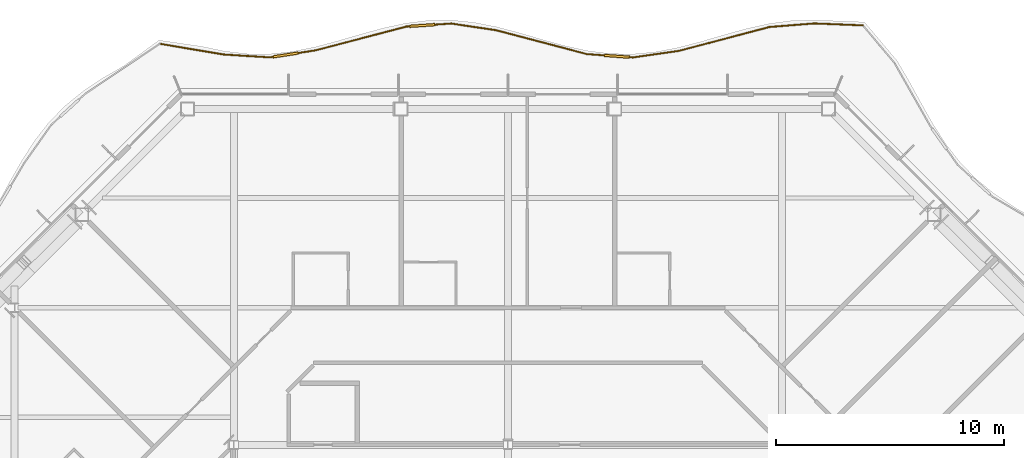
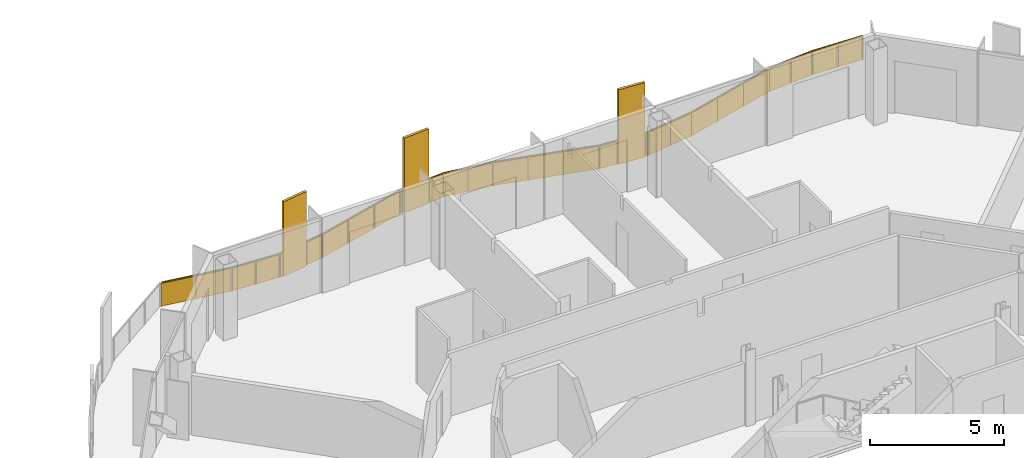
# One storey, part 20 of 21: 1 railing.
"""IFC4 building model written with IfcOpenShell, lengths in metres."""

import ifcopenshell
import ifcopenshell.guid

model = None  # the IFC model being written
_history = None  # IfcOwnerHistory: only IFC2X3 demands one
_inside = {}  # id of a spatial element -> (the spatial element, [elements in it])
_under = {}  # id of a project, library or spatial element -> (it, [spatial elements below it])
_declared = {}  # id of a project -> (the project, [libraries it declares])
_typed = {}  # id of a type object -> (the type object, [elements of that type])
_made_of = {}  # id of a material, layer set ... -> (it, [elements and type objects made of it])


def new_model(schema):
    """Start an empty IFC model of exactly this schema.

    Asked for "IFC4X3", IfcOpenShell would pick the latest addendum, in which some entities
    have other attributes; the version numbers below select the first issue.
    IFC2X3 requires an IfcOwnerHistory on every rooted entity: one is made here for all.
    """
    global model, _history
    if schema == "IFC4X3":
        model = ifcopenshell.file(schema_version=(4, 3, 0, 0))
    else:
        model = ifcopenshell.file(schema=schema)
    _inside.clear()
    _under.clear()
    _declared.clear()
    _typed.clear()
    _made_of.clear()
    _history = None
    if model.schema == "IFC2X3":
        org = make("IfcOrganization", Name="unknown")
        user = make(
            "IfcPersonAndOrganization",
            ThePerson=make("IfcPerson", FamilyName="unknown"),
            TheOrganization=org,
        )
        app = make(
            "IfcApplication",
            ApplicationDeveloper=org,
            Version="unknown",
            ApplicationFullName="unknown",
            ApplicationIdentifier="unknown",
        )
        _history = make(
            "IfcOwnerHistory",
            OwningUser=user,
            OwningApplication=app,
            ChangeAction="ADDED",
            CreationDate=0,
        )
    return model


def make(cls, **values):
    """One entity of the class cls with the attributes given. An attribute that is None is left unset."""
    return model.create_entity(
        cls, **{name: value for name, value in values.items() if value is not None}
    )


def rooted(cls, **values):
    """An entity with a GlobalId (a new one), such as an element, a storey or a relation."""
    return make(cls, GlobalId=ifcopenshell.guid.new(), OwnerHistory=_history, **values)


def si_unit(unit_type, name, prefix=None):
    """IfcSIUnit, for example si_unit("LENGTHUNIT", "METRE", prefix="MILLI")."""
    return make("IfcSIUnit", UnitType=unit_type, Prefix=prefix, Name=name)


def assignment(units):
    """IfcUnitAssignment: the units of a project."""
    return None if units is None else make("IfcUnitAssignment", Units=units)


def point(xyz):
    """IfcCartesianPoint."""
    return None if xyz is None else make("IfcCartesianPoint", Coordinates=xyz)


def direction(xyz):
    """IfcDirection."""
    return None if xyz is None else make("IfcDirection", DirectionRatios=xyz)


def frame(location, z_axis=None, x_axis=None):
    """IfcAxis2Placement3D, a coordinate frame: its origin and axes. An axis left out is left unset."""
    return make(
        "IfcAxis2Placement3D",
        Location=point(location),
        Axis=direction(z_axis),
        RefDirection=direction(x_axis),
    )


def frame_2d(location, x_axis=None):
    """IfcAxis2Placement2D, a coordinate frame in the plane: its origin and x axis."""
    return make(
        "IfcAxis2Placement2D", Location=point(location), RefDirection=direction(x_axis)
    )


def origin():
    """The frame at (0, 0, 0) with its axes left unset."""
    return frame((0.0, 0.0, 0.0))


def origin_2d():
    """The frame at (0, 0) in the plane with its x axis left unset."""
    return frame_2d((0.0, 0.0))


def place(relative_to, where):
    """IfcLocalPlacement: puts the frame where relative to a parent placement (None: the world)."""
    return make(
        "IfcLocalPlacement", PlacementRelTo=relative_to, RelativePlacement=where
    )


def context(
    kind, dimensions, precision=None, world=None, true_north=None, identifier=None
):
    """IfcGeometricRepresentationContext, for example the 3D "Model" context."""
    return make(
        "IfcGeometricRepresentationContext",
        ContextIdentifier=identifier,
        ContextType=kind,
        CoordinateSpaceDimension=dimensions,
        Precision=precision,
        WorldCoordinateSystem=world,
        TrueNorth=true_north,
    )


def subcontext(parent, identifier, kind, view, scale=None):
    """IfcGeometricRepresentationSubContext, for example "Body" below "Model"."""
    return make(
        "IfcGeometricRepresentationSubContext",
        ContextIdentifier=identifier,
        ContextType=kind,
        ParentContext=parent,
        TargetScale=scale,
        TargetView=view,
    )


def project(units=None, contexts=None):
    """IfcProject with its units and contexts."""
    return rooted(
        "IfcProject",
        Name="project",
        RepresentationContexts=contexts,
        UnitsInContext=assignment(units),
    )


def spatial(cls, under=None, at=None, **own):
    """A site, building, storey or space (cls), placed at a placement, below another one or the project."""
    s = rooted(cls, ObjectPlacement=at, **own)
    if under is not None:
        _under.setdefault(under.id(), (under, []))[1].append(s)
    return s


def polyline(points):
    """IfcPolyline through the points."""
    return make("IfcPolyline", Points=[point(p) for p in points])


def profile(cls, at=None, kind="AREA", **sizes):
    """A parametric profile (cls). Its sizes go by their IFC names, for example OverallWidth=200.0."""
    return make(cls, ProfileType=kind, Position=at, **sizes)


def rectangle(**sizes):
    """IfcRectangleProfileDef."""
    return profile("IfcRectangleProfileDef", **sizes)


def outline(outer, holes=None, kind="AREA"):
    """IfcArbitraryClosedProfileDef: a profile drawn as a closed curve; with holes, ...WithVoids."""
    if holes is None:
        return make("IfcArbitraryClosedProfileDef", ProfileType=kind, OuterCurve=outer)
    return make(
        "IfcArbitraryProfileDefWithVoids",
        ProfileType=kind,
        OuterCurve=outer,
        InnerCurves=holes,
    )


def extrude(swept, where, along, depth):
    """IfcExtrudedAreaSolid: the profile swept, set in the frame where, extruded along a direction by depth."""
    return make(
        "IfcExtrudedAreaSolid",
        SweptArea=swept,
        Position=where,
        ExtrudedDirection=direction(along),
        Depth=depth,
    )


def shape(context_of_items, identifier, shape_type, items):
    """IfcShapeRepresentation: the items that make up one representation, for example the "Body"."""
    return make(
        "IfcShapeRepresentation",
        ContextOfItems=context_of_items,
        RepresentationIdentifier=identifier,
        RepresentationType=shape_type,
        Items=items,
    )


def material(Name=None, Category=None):
    """IfcMaterial."""
    return make("IfcMaterial", Name=Name, Category=Category)


def made_of(thing, what):
    """Note that an element or type object is made of a material, layer set ...; save() writes the relation."""
    if what is not None:
        _made_of.setdefault(what.id(), (what, []))[1].append(thing)
    return thing


def type_object(cls, material=None, **own):
    """A type object (cls), such as IfcWallType, which elements share."""
    return made_of(rooted(cls, **own), material)


def element(
    cls,
    number,
    at=None,
    inside=None,
    cuts=None,
    type_object=None,
    material=None,
    context=None,
    identifier="Body",
    shape_type=None,
    held_by="IfcProductDefinitionShape",
    body=None,
    shapes=None,
    **own,
):
    """One element of the class cls, such as IfcWall. Its Tag is "e" and its number.

    at: its placement. inside: the storey or other place that contains it. cuts: it is an
    opening in that element (IfcRelVoidsElement). A single representation is given by context,
    identifier, shape_type and body (its items); several are given by shapes. held_by: the class
    of the entity that holds the representations. save() writes the other relations.
    """
    e = rooted(cls, Tag="e%d" % number, ObjectPlacement=at, **own)
    if body is not None:
        shapes = [shape(context, identifier, shape_type, body)]
    if shapes is not None:
        e.Representation = make(held_by, Representations=shapes)
    if inside is not None:
        _inside.setdefault(inside.id(), (inside, []))[1].append(e)
    if cuts is not None:
        rooted(
            "IfcRelVoidsElement", RelatingBuildingElement=cuts, RelatedOpeningElement=e
        )
    if type_object is not None:
        _typed.setdefault(type_object.id(), (type_object, []))[1].append(e)
    return made_of(e, material)


def aggregate(whole, parts):
    """IfcRelAggregates: a whole, such as a stair, and the parts it consists of."""
    return rooted("IfcRelAggregates", RelatingObject=whole, RelatedObjects=parts)


def save(model, path):
    """Write the relations noted so far, then the file.

    IfcRelAggregates (storeys below a building ...), IfcRelContainedInSpatialStructure (elements
    in a storey), IfcRelDefinesByType, IfcRelAssociatesMaterial and IfcRelDeclares: one each for
    every whole, place, type object, material and project.
    """
    for whole, parts in _under.values():
        aggregate(whole, parts)
    for where, things in _inside.values():
        rooted(
            "IfcRelContainedInSpatialStructure",
            RelatedElements=things,
            RelatingStructure=where,
        )
    for kind, things in _typed.values():
        rooted("IfcRelDefinesByType", RelatedObjects=things, RelatingType=kind)
    for what, things in _made_of.values():
        rooted("IfcRelAssociatesMaterial", RelatedObjects=things, RelatingMaterial=what)
    for by, libraries in _declared.values():
        rooted("IfcRelDeclares", RelatingContext=by, RelatedDefinitions=libraries)
    model.write(path)


model = new_model("IFC4")

# Units and contexts
model_context = context("Model", 3, precision=1e-05, world=origin(), true_north=direction((0.0, 1.0)))
body_context = subcontext(model_context, "Body", "Model", "MODEL_VIEW")
ifc_project = project(units=[si_unit("LENGTHUNIT", "METRE"), si_unit("AREAUNIT", "SQUARE_METRE"), si_unit("VOLUMEUNIT", "CUBIC_METRE"), si_unit("PLANEANGLEUNIT", "RADIAN"), si_unit("MASSUNIT", "GRAM", prefix="KILO")], contexts=[model_context])

# Site, building, storey
site_placement = place(None, origin())
site = spatial("IfcSite", under=ifc_project, at=site_placement, CompositionType="ELEMENT")
building_placement = place(site_placement, origin())
building = spatial("IfcBuilding", under=site, at=building_placement, Name="Cairn Pilgrim Tower", CompositionType="ELEMENT")
storey_placement = place(building_placement, frame((0.0, 0.0, 150.60009765625)))
storey = spatial("IfcBuildingStorey", under=building, at=storey_placement, Name="L37", CompositionType="ELEMENT", Elevation=150.60009765625)

# Railing
ifc_material = material(Name="Bronze anodised aluminium rail, posts and fin screens with laminated glass infill", Category="aluminium")
railing_type = type_object("IfcRailingType", Name="BALCONY GUARD WITH FIN SCREENS", PredefinedType="GUARDRAIL", material=ifc_material)
railing_placement = place(storey_placement, frame((22.732666015625, 31.561279296875, 0.0)))
element("IfcRailing", 1, at=railing_placement, inside=storey, type_object=railing_type, Name="Balcony guard BGF-5 with fin screens", PredefinedType="GUARDRAIL", context=body_context, shape_type="SweptSolid", body=[
    extrude(rectangle(XDim=0.050048828125, YDim=0.050048828125, at=origin_2d()), frame((0.0, 0.0, 1.0751953125), z_axis=(-0.999218303343, 0.039532040983, 0.0), x_axis=(-0.039532040983, -0.999218303343, 0.0)), (0.0, 0.0, 1.0), 2.12451171875),
    extrude(rectangle(XDim=0.050048828125, YDim=0.050048828125, at=origin_2d()), frame((-2.122802734375, 0.083984375, 1.0751953125), z_axis=(-0.996849859559, -0.079311774008, 0.0), x_axis=(0.079311774008, -0.996849859559, 0.0)), (0.0, 0.0, 1.0), 1.969970703125),
    extrude(rectangle(XDim=0.050048828125, YDim=0.050048828125, at=origin_2d()), frame((-4.086669921875, -0.072265625, 1.0751953125), z_axis=(-0.966954973111, -0.254947210176, 0.0), x_axis=(0.254947210176, -0.966954973111, 0.0)), (0.0, 0.0, 1.0), 4.103271484375),
    extrude(rectangle(XDim=0.050048828125, YDim=0.050048828125, at=origin_2d()), frame((-8.054443359375, -1.118408203125, 1.0751953125), z_axis=(-0.989944685782, -0.141455007304, 0.0), x_axis=(0.141455007304, -0.989944685782, 0.0)), (0.0, 0.0, 1.0), 2.031494140625),
    extrude(rectangle(XDim=1.10009765625, YDim=0.110107421875, at=origin_2d()), frame((-10.763427734375, -1.354248046875, 0.0), z_axis=(0.0, 0.0, 1.0), x_axis=(-0.997300606896, 0.07342683083, 0.0)), (0.0, 0.0, 1.0), 3.39990234375),
    extrude(rectangle(XDim=0.050048828125, YDim=0.050048828125, at=origin_2d()), frame((-10.0654296875, -1.40576171875, 1.0751953125), z_axis=(-0.997300606896, 0.07342683083, 0.0), x_axis=(-0.07342683083, -0.997300606896, 0.0)), (0.0, 0.0, 1.0), 0.14990234375),
    extrude(rectangle(XDim=0.050048828125, YDim=0.050048828125, at=origin_2d()), frame((-11.31201171875, -1.31396484375, 1.0751953125), z_axis=(-0.997300606896, 0.07342683083, 0.0), x_axis=(-0.07342683083, -0.997300606896, 0.0)), (0.0, 0.0, 1.0), 0.771484375),
    extrude(rectangle(XDim=0.050048828125, YDim=0.050048828125, at=origin_2d()), frame((-12.08154296875, -1.25732421875, 1.0751953125), z_axis=(-0.967127569805, 0.254291690238, 0.0), x_axis=(-0.254291690238, -0.967127569805, 0.0)), (0.0, 0.0, 1.0), 4.113037109375),
    extrude(rectangle(XDim=0.050048828125, YDim=0.050048828125, at=origin_2d()), frame((-16.059326171875, -0.21142578125, 1.0751953125), z_axis=(-0.989197514028, 0.14658880667, 0.0), x_axis=(-0.14658880667, -0.989197514028, 0.0)), (0.0, 0.0, 1.0), 1.983642578125),
    extrude(rectangle(XDim=1.10009765625, YDim=0.110107421875, at=origin_2d()), frame((-19.27880859375, -0.005615234375, 0.0), z_axis=(0.0, 0.0, 1.0), x_axis=(-0.997719094687, -0.067502652518, 0.0)), (0.0, 0.0, 1.0), 3.39990234375),
    extrude(rectangle(XDim=0.050048828125, YDim=0.050048828125, at=origin_2d()), frame((-18.021484375, 0.079345703125, 1.0751953125), z_axis=(-0.997719094687, -0.067502652518, 0.0), x_axis=(0.067502652518, -0.997719094687, 0.0)), (0.0, 0.0, 1.0), 0.710205078125),
    extrude(rectangle(XDim=0.050048828125, YDim=0.050048828125, at=origin_2d()), frame((-19.82763671875, -0.04296875, 1.0751953125), z_axis=(-0.997719094687, -0.067502652518, 0.0), x_axis=(0.067502652518, -0.997719094687, 0.0)), (0.0, 0.0, 1.0), 0.150146484375),
    extrude(rectangle(XDim=0.050048828125, YDim=0.050048828125, at=origin_2d()), frame((-19.977294921875, -0.052978515625, 1.0751953125), z_axis=(-0.967341639155, -0.253476139227, 0.0), x_axis=(0.253476139227, -0.967341639155, 0.0)), (0.0, 0.0, 1.0), 4.10009765625),
    extrude(rectangle(XDim=1.10009765625, YDim=0.110107421875, at=origin_2d()), frame((-25.261474609375, -1.29443359375, 0.0), z_axis=(0.0, 0.0, 1.0), x_axis=(-0.988434079542, -0.151651147043, 0.0)), (0.0, 0.0, 1.0), 3.39990234375),
    extrude(rectangle(XDim=0.050048828125, YDim=0.050048828125, at=origin_2d()), frame((-23.943603515625, -1.09228515625, 1.0751953125), z_axis=(-0.988434079542, -0.151651147043, 0.0), x_axis=(0.151651147043, -0.988434079542, 0.0)), (0.0, 0.0, 1.0), 0.783203125),
    extrude(rectangle(XDim=0.050048828125, YDim=0.050048828125, at=origin_2d()), frame((-25.80517578125, -1.3779296875, 1.0751953125), z_axis=(-0.988434079542, -0.151651147043, 0.0), x_axis=(0.151651147043, -0.988434079542, 0.0)), (0.0, 0.0, 1.0), 0.150146484375),
    extrude(rectangle(XDim=0.050048828125, YDim=0.050048828125, at=origin_2d()), frame((-25.953369140625, -1.400634765625, 1.0751953125), z_axis=(-0.998109239106, 0.061465004765, 0.0), x_axis=(-0.061465004765, -0.998109239106, 0.0)), (0.0, 0.0, 1.0), 2.013916015625),
    extrude(rectangle(XDim=0.050048828125, YDim=0.050048828125, at=origin_2d()), frame((-27.96337890625, -1.27685546875, 1.0751953125), z_axis=(-0.986308625371, 0.164909961856, 0.0), x_axis=(-0.164909961856, -0.986308625371, 0.0)), (0.0, 0.0, 1.0), 2.7890625),
    extrude(rectangle(XDim=0.050048828125, YDim=0.050048828125, at=origin_2d()), origin(), (0.0, 0.0, 1.0), 1.050048828125),
    extrude(rectangle(XDim=0.050048828125, YDim=0.050048828125, at=origin_2d()), frame((-1.0615234375, 0.0419921875, 0.0)), (0.0, 0.0, 1.0), 1.050048828125),
    extrude(rectangle(XDim=0.050048828125, YDim=0.050048828125, at=origin_2d()), frame((-2.122802734375, 0.083984375, 0.0)), (0.0, 0.0, 1.0), 1.050048828125),
    extrude(rectangle(XDim=0.050048828125, YDim=0.050048828125, at=origin_2d()), frame((-3.104736328125, 0.005859375, 0.0)), (0.0, 0.0, 1.0), 1.050048828125),
    extrude(rectangle(XDim=0.050048828125, YDim=0.050048828125, at=origin_2d()), frame((-4.086669921875, -0.072265625, 0.0)), (0.0, 0.0, 1.0), 1.050048828125),
    extrude(rectangle(XDim=0.050048828125, YDim=0.050048828125, at=origin_2d()), frame((-5.4091796875, -0.4208984375, 0.0)), (0.0, 0.0, 1.0), 1.050048828125),
    extrude(rectangle(XDim=0.050048828125, YDim=0.050048828125, at=origin_2d()), frame((-6.73193359375, -0.769775390625, 0.0)), (0.0, 0.0, 1.0), 1.050048828125),
    extrude(rectangle(XDim=0.050048828125, YDim=0.050048828125, at=origin_2d()), frame((-8.054443359375, -1.118408203125, 0.0)), (0.0, 0.0, 1.0), 1.050048828125),
    extrude(rectangle(XDim=0.050048828125, YDim=0.050048828125, at=origin_2d()), frame((-9.06005859375, -1.26220703125, 0.0)), (0.0, 0.0, 1.0), 1.050048828125),
    extrude(rectangle(XDim=0.050048828125, YDim=0.050048828125, at=origin_2d()), frame((-10.0654296875, -1.40576171875, 0.0)), (0.0, 0.0, 1.0), 1.050048828125),
    extrude(rectangle(XDim=0.050048828125, YDim=0.050048828125, at=origin_2d()), frame((-10.18994140625, -1.396484375, 0.0)), (0.0, 0.0, 1.0), 1.050048828125),
    extrude(rectangle(XDim=0.050048828125, YDim=0.050048828125, at=origin_2d()), frame((-11.3369140625, -1.312255859375, 0.0)), (0.0, 0.0, 1.0), 1.050048828125),
    extrude(rectangle(XDim=0.050048828125, YDim=0.050048828125, at=origin_2d()), frame((-12.08154296875, -1.25732421875, 0.0)), (0.0, 0.0, 1.0), 1.050048828125),
    extrude(rectangle(XDim=0.050048828125, YDim=0.050048828125, at=origin_2d()), frame((-13.407470703125, -0.90869140625, 0.0)), (0.0, 0.0, 1.0), 1.050048828125),
    extrude(rectangle(XDim=0.050048828125, YDim=0.050048828125, at=origin_2d()), frame((-14.7333984375, -0.56005859375, 0.0)), (0.0, 0.0, 1.0), 1.050048828125),
    extrude(rectangle(XDim=0.050048828125, YDim=0.050048828125, at=origin_2d()), frame((-16.059326171875, -0.21142578125, 0.0)), (0.0, 0.0, 1.0), 1.050048828125),
    extrude(rectangle(XDim=0.050048828125, YDim=0.050048828125, at=origin_2d()), frame((-17.04052734375, -0.06591796875, 0.0)), (0.0, 0.0, 1.0), 1.050048828125),
    extrude(rectangle(XDim=0.050048828125, YDim=0.050048828125, at=origin_2d()), frame((-18.021484375, 0.079345703125, 0.0)), (0.0, 0.0, 1.0), 1.050048828125),
    extrude(rectangle(XDim=0.050048828125, YDim=0.050048828125, at=origin_2d()), frame((-18.705078125, 0.033203125, 0.0)), (0.0, 0.0, 1.0), 1.050048828125),
    extrude(rectangle(XDim=0.050048828125, YDim=0.050048828125, at=origin_2d()), frame((-19.8525390625, -0.04443359375, 0.0)), (0.0, 0.0, 1.0), 1.050048828125),
    extrude(rectangle(XDim=0.050048828125, YDim=0.050048828125, at=origin_2d()), frame((-19.977294921875, -0.052978515625, 0.0)), (0.0, 0.0, 1.0), 1.050048828125),
    extrude(rectangle(XDim=0.050048828125, YDim=0.050048828125, at=origin_2d()), frame((-21.29931640625, -0.3994140625, 0.0)), (0.0, 0.0, 1.0), 1.050048828125),
    extrude(rectangle(XDim=0.050048828125, YDim=0.050048828125, at=origin_2d()), frame((-22.62158203125, -0.745849609375, 0.0)), (0.0, 0.0, 1.0), 1.050048828125),
    extrude(rectangle(XDim=0.050048828125, YDim=0.050048828125, at=origin_2d()), frame((-23.943603515625, -1.09228515625, 0.0)), (0.0, 0.0, 1.0), 1.050048828125),
    extrude(rectangle(XDim=0.050048828125, YDim=0.050048828125, at=origin_2d()), frame((-24.693115234375, -1.207275390625, 0.0)), (0.0, 0.0, 1.0), 1.050048828125),
    extrude(rectangle(XDim=0.050048828125, YDim=0.050048828125, at=origin_2d()), frame((-25.829833984375, -1.381591796875, 0.0)), (0.0, 0.0, 1.0), 1.050048828125),
    extrude(rectangle(XDim=0.050048828125, YDim=0.050048828125, at=origin_2d()), frame((-25.953369140625, -1.400634765625, 0.0)), (0.0, 0.0, 1.0), 1.050048828125),
    extrude(rectangle(XDim=0.050048828125, YDim=0.050048828125, at=origin_2d()), frame((-26.95849609375, -1.3388671875, 0.0)), (0.0, 0.0, 1.0), 1.050048828125),
    extrude(rectangle(XDim=0.050048828125, YDim=0.050048828125, at=origin_2d()), frame((-27.96337890625, -1.27685546875, 0.0)), (0.0, 0.0, 1.0), 1.050048828125),
    extrude(rectangle(XDim=0.050048828125, YDim=0.050048828125, at=origin_2d()), frame((-29.3388671875, -1.046875, 0.0)), (0.0, 0.0, 1.0), 1.050048828125),
    extrude(rectangle(XDim=0.050048828125, YDim=0.050048828125, at=origin_2d()), frame((-30.71435546875, -0.81689453125, 0.0)), (0.0, 0.0, 1.0), 1.050048828125),
    extrude(outline(polyline([(0.02490234375, 0.0), (1.037109375, 0.0), (1.037109375, 1.050048828125), (0.02490234375, 1.050048828125), (0.02490234375, 0.0)])), frame((-0.000244140625, -0.005859375, 0.0), z_axis=(0.039532040983, 0.999218303343, 0.0), x_axis=(-0.999218303343, 0.039532040983, 0.0)), (0.0, 0.0, 1.0), 0.011962890625),
    extrude(outline(polyline([(0.02490234375, 0.0), (1.037109375, 0.0), (1.037109375, 1.050048828125), (0.02490234375, 1.050048828125), (0.02490234375, 0.0)])), frame((-1.0615234375, 0.0361328125, 0.0), z_axis=(0.039532040983, 0.999218303343, 0.0), x_axis=(-0.999218303343, 0.039532040983, 0.0)), (0.0, 0.0, 1.0), 0.011962890625),
    extrude(outline(polyline([(0.02490234375, 0.0), (0.9599609375, 0.0), (0.9599609375, 1.050048828125), (0.02490234375, 1.050048828125), (0.02490234375, 0.0)])), frame((-2.122314453125, 0.078125, 0.0), z_axis=(-0.079311774008, 0.996849859559, 0.0), x_axis=(-0.996849859559, -0.079311774008, 0.0)), (0.0, 0.0, 1.0), 0.011962890625),
    extrude(outline(polyline([(0.02490234375, 0.0), (0.9599609375, 0.0), (0.9599609375, 1.050048828125), (0.02490234375, 1.050048828125), (0.02490234375, 0.0)])), frame((-3.104248046875, 0.0, 0.0), z_axis=(-0.079311774008, 0.996849859559, 0.0), x_axis=(-0.996849859559, -0.079311774008, 0.0)), (0.0, 0.0, 1.0), 0.011962890625),
    extrude(outline(polyline([(0.02490234375, 0.0), (1.3427734375, 0.0), (1.3427734375, 1.050048828125), (0.02490234375, 1.050048828125), (0.02490234375, 0.0)])), frame((-4.085205078125, -0.078125, 0.0), z_axis=(-0.254947210176, 0.966954973111, 0.0), x_axis=(-0.966954973111, -0.254947210176, 0.0)), (0.0, 0.0, 1.0), 0.011962890625),
    extrude(outline(polyline([(0.02490234375, 0.0), (1.3427734375, 0.0), (1.3427734375, 1.050048828125), (0.02490234375, 1.050048828125), (0.02490234375, 0.0)])), frame((-5.40771484375, -0.4267578125, 0.0), z_axis=(-0.254947210176, 0.966954973111, 0.0), x_axis=(-0.966954973111, -0.254947210176, 0.0)), (0.0, 0.0, 1.0), 0.011962890625),
    extrude(outline(polyline([(0.02490234375, 0.0), (1.3427734375, 0.0), (1.3427734375, 1.050048828125), (0.02490234375, 1.050048828125), (0.02490234375, 0.0)])), frame((-6.730224609375, -0.775390625, 0.0), z_axis=(-0.254947210176, 0.966954973111, 0.0), x_axis=(-0.966954973111, -0.254947210176, 0.0)), (0.0, 0.0, 1.0), 0.011962890625),
    extrude(outline(polyline([(0.02490234375, 0.0), (0.99072265625, 0.0), (0.99072265625, 1.050048828125), (0.02490234375, 1.050048828125), (0.02490234375, 0.0)])), frame((-8.0537109375, -1.124267578125, 0.0), z_axis=(-0.141455007304, 0.989944685782, 0.0), x_axis=(-0.989944685782, -0.141455007304, 0.0)), (0.0, 0.0, 1.0), 0.011962890625),
    extrude(outline(polyline([(0.02490234375, 0.0), (0.99072265625, 0.0), (0.99072265625, 1.050048828125), (0.02490234375, 1.050048828125), (0.02490234375, 0.0)])), frame((-9.05908203125, -1.26806640625, 0.0), z_axis=(-0.141455007304, 0.989944685782, 0.0), x_axis=(-0.989944685782, -0.141455007304, 0.0)), (0.0, 0.0, 1.0), 0.011962890625),
    extrude(outline(polyline([(0.02490234375, 0.0), (0.099853515625, 0.0), (0.099853515625, 1.050048828125), (0.02490234375, 1.050048828125), (0.02490234375, 0.0)])), frame((-10.06591796875, -1.41162109375, 0.0), z_axis=(0.07342683083, 0.997300606896, 0.0), x_axis=(-0.997300606896, 0.07342683083, 0.0)), (0.0, 0.0, 1.0), 0.011962890625),
    extrude(outline(polyline([(0.02490234375, 0.0), (0.721435546875, 0.0), (0.721435546875, 1.050048828125), (0.02490234375, 1.050048828125), (0.02490234375, 0.0)])), frame((-11.33740234375, -1.318115234375, 0.0), z_axis=(0.07342683083, 0.997300606896, 0.0), x_axis=(-0.997300606896, 0.07342683083, 0.0)), (0.0, 0.0, 1.0), 0.011962890625),
    extrude(outline(polyline([(0.02490234375, 0.0), (1.345947265625, 0.0), (1.345947265625, 1.050048828125), (0.02490234375, 1.050048828125), (0.02490234375, 0.0)])), frame((-12.0830078125, -1.26318359375, 0.0), z_axis=(0.254291690238, 0.967127569805, 0.0), x_axis=(-0.967127569805, 0.254291690238, 0.0)), (0.0, 0.0, 1.0), 0.011962890625),
    extrude(outline(polyline([(0.02490234375, 0.0), (1.345947265625, 0.0), (1.345947265625, 1.050048828125), (0.02490234375, 1.050048828125), (0.02490234375, 0.0)])), frame((-13.408935546875, -0.91455078125, 0.0), z_axis=(0.254291690238, 0.967127569805, 0.0), x_axis=(-0.967127569805, 0.254291690238, 0.0)), (0.0, 0.0, 1.0), 0.011962890625),
    extrude(outline(polyline([(0.02490234375, 0.0), (1.345947265625, 0.0), (1.345947265625, 1.050048828125), (0.02490234375, 1.050048828125), (0.02490234375, 0.0)])), frame((-14.73486328125, -0.56591796875, 0.0), z_axis=(0.254291690238, 0.967127569805, 0.0), x_axis=(-0.967127569805, 0.254291690238, 0.0)), (0.0, 0.0, 1.0), 0.011962890625),
    extrude(outline(polyline([(0.02490234375, 0.0), (0.966796875, 0.0), (0.966796875, 1.050048828125), (0.02490234375, 1.050048828125), (0.02490234375, 0.0)])), frame((-16.060302734375, -0.21728515625, 0.0), z_axis=(0.14658880667, 0.989197514028, 0.0), x_axis=(-0.989197514028, 0.14658880667, 0.0)), (0.0, 0.0, 1.0), 0.011962890625),
    extrude(outline(polyline([(0.02490234375, 0.0), (0.966796875, 0.0), (0.966796875, 1.050048828125), (0.02490234375, 1.050048828125), (0.02490234375, 0.0)])), frame((-17.041259765625, -0.072021484375, 0.0), z_axis=(0.14658880667, 0.989197514028, 0.0), x_axis=(-0.989197514028, 0.14658880667, 0.0)), (0.0, 0.0, 1.0), 0.011962890625),
    extrude(outline(polyline([(0.02490234375, 0.0), (0.66015625, 0.0), (0.66015625, 1.050048828125), (0.02490234375, 1.050048828125), (0.02490234375, 0.0)])), frame((-18.02099609375, 0.073486328125, 0.0), z_axis=(-0.067502652518, 0.997719094687, 0.0), x_axis=(-0.997719094687, -0.067502652518, 0.0)), (0.0, 0.0, 1.0), 0.011962890625),
    extrude(outline(polyline([(0.02490234375, 0.0), (0.10009765625, 0.0), (0.10009765625, 1.050048828125), (0.02490234375, 1.050048828125), (0.02490234375, 0.0)])), frame((-19.85205078125, -0.050537109375, 0.0), z_axis=(-0.067502652518, 0.997719094687, 0.0), x_axis=(-0.997719094687, -0.067502652518, 0.0)), (0.0, 0.0, 1.0), 0.011962890625),
    extrude(outline(polyline([(0.02490234375, 0.0), (1.341796875, 0.0), (1.341796875, 1.050048828125), (0.02490234375, 1.050048828125), (0.02490234375, 0.0)])), frame((-19.975830078125, -0.058837890625, 0.0), z_axis=(-0.253476139227, 0.967341639155, 0.0), x_axis=(-0.967341639155, -0.253476139227, 0.0)), (0.0, 0.0, 1.0), 0.011962890625),
    extrude(outline(polyline([(0.02490234375, 0.0), (1.341796875, 0.0), (1.341796875, 1.050048828125), (0.02490234375, 1.050048828125), (0.02490234375, 0.0)])), frame((-21.2978515625, -0.4052734375, 0.0), z_axis=(-0.253476139227, 0.967341639155, 0.0), x_axis=(-0.967341639155, -0.253476139227, 0.0)), (0.0, 0.0, 1.0), 0.011962890625),
    extrude(outline(polyline([(0.02490234375, 0.0), (1.341796875, 0.0), (1.341796875, 1.050048828125), (0.02490234375, 1.050048828125), (0.02490234375, 0.0)])), frame((-22.619873046875, -0.751708984375, 0.0), z_axis=(-0.253476139227, 0.967341639155, 0.0), x_axis=(-0.967341639155, -0.253476139227, 0.0)), (0.0, 0.0, 1.0), 0.011962890625),
    extrude(outline(polyline([(0.02490234375, 0.0), (0.733154296875, 0.0), (0.733154296875, 1.050048828125), (0.02490234375, 1.050048828125), (0.02490234375, 0.0)])), frame((-23.942626953125, -1.09814453125, 0.0), z_axis=(-0.151651147043, 0.988434079542, 0.0), x_axis=(-0.988434079542, -0.151651147043, 0.0)), (0.0, 0.0, 1.0), 0.011962890625),
    extrude(outline(polyline([(0.02490234375, 0.0), (0.10009765625, 0.0), (0.10009765625, 1.050048828125), (0.02490234375, 1.050048828125), (0.02490234375, 0.0)])), frame((-25.828857421875, -1.3876953125, 0.0), z_axis=(-0.151651147043, 0.988434079542, 0.0), x_axis=(-0.988434079542, -0.151651147043, 0.0)), (0.0, 0.0, 1.0), 0.011962890625),
    extrude(outline(polyline([(0.02490234375, 0.0), (0.98193359375, 0.0), (0.98193359375, 1.050048828125), (0.02490234375, 1.050048828125), (0.02490234375, 0.0)])), frame((-25.953857421875, -1.406494140625, 0.0), z_axis=(0.061465004765, 0.998109239106, 0.0), x_axis=(-0.998109239106, 0.061465004765, 0.0)), (0.0, 0.0, 1.0), 0.011962890625),
    extrude(outline(polyline([(0.02490234375, 0.0), (0.98193359375, 0.0), (0.98193359375, 1.050048828125), (0.02490234375, 1.050048828125), (0.02490234375, 0.0)])), frame((-26.958740234375, -1.3447265625, 0.0), z_axis=(0.061465004765, 0.998109239106, 0.0), x_axis=(-0.998109239106, 0.061465004765, 0.0)), (0.0, 0.0, 1.0), 0.011962890625),
    extrude(outline(polyline([(0.02490234375, 0.0), (1.36962890625, 0.0), (1.36962890625, 1.050048828125), (0.02490234375, 1.050048828125), (0.02490234375, 0.0)])), frame((-27.96435546875, -1.28271484375, 0.0), z_axis=(0.164909961856, 0.986308625371, 0.0), x_axis=(-0.986308625371, 0.164909961856, 0.0)), (0.0, 0.0, 1.0), 0.011962890625),
    extrude(outline(polyline([(0.02490234375, 0.0), (1.36962890625, 0.0), (1.36962890625, 1.050048828125), (0.02490234375, 1.050048828125), (0.02490234375, 0.0)])), frame((-29.33984375, -1.052734375, 0.0), z_axis=(0.164909961856, 0.986308625371, 0.0), x_axis=(-0.986308625371, 0.164909961856, 0.0)), (0.0, 0.0, 1.0), 0.011962890625),
])

save(model, "model.ifc")
